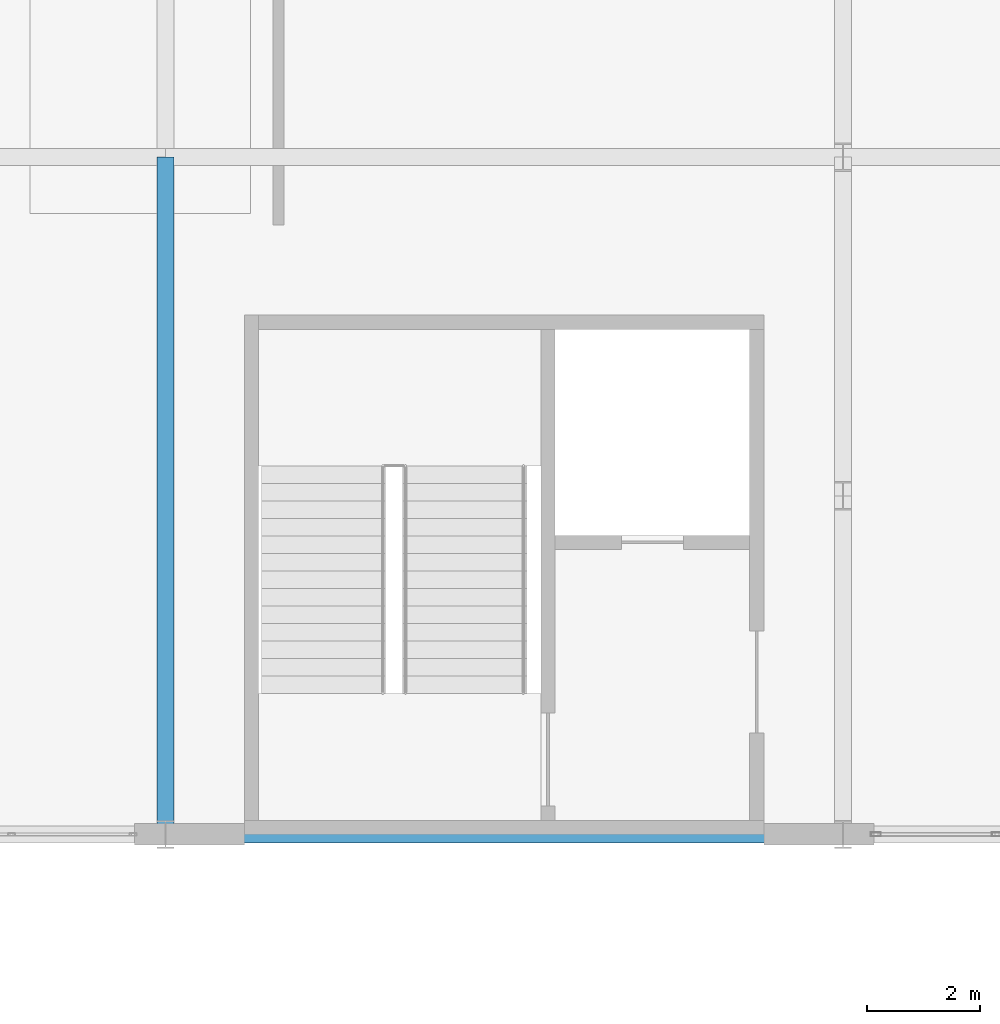
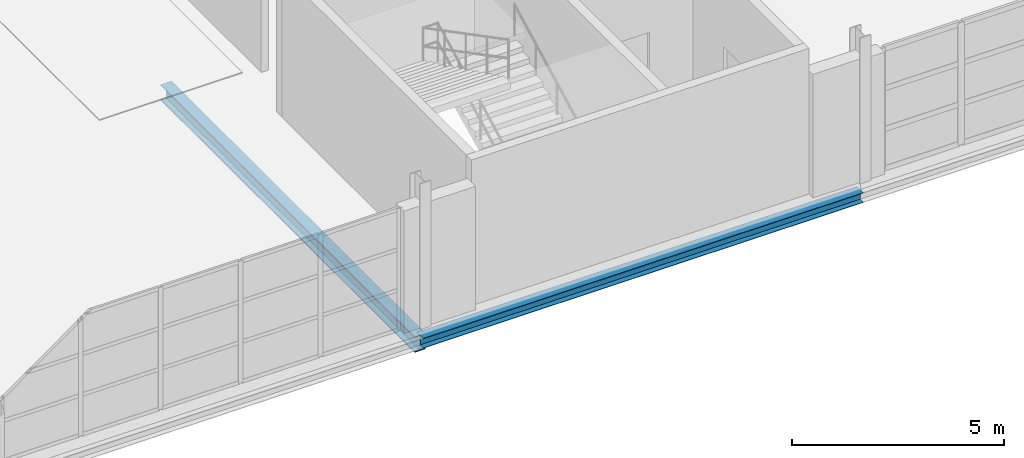
# One storey, part 31 of 158: 2 beams.
"""IFC4 building model written with IfcOpenShell, lengths in metres."""

from ifc_helpers import new_model, si_unit, direction, frame, origin, origin_2d, place, context, subcontext, project, spatial, i_section, extrude, material, material_profile, profile_set, type_object, element, save


model = new_model("IFC4")

# Units and contexts
model_context = context("Model", 3, precision=1e-05, world=origin(), true_north=direction((0.0, 1.0)))
body_context = subcontext(model_context, "Body", "Model", "MODEL_VIEW")
ifc_project = project(units=[si_unit("LENGTHUNIT", "METRE"), si_unit("AREAUNIT", "SQUARE_METRE"), si_unit("VOLUMEUNIT", "CUBIC_METRE"), si_unit("PLANEANGLEUNIT", "RADIAN"), si_unit("MASSUNIT", "GRAM", prefix="KILO")], contexts=[model_context])

# Site, building, storey
site_placement = place(None, origin())
site = spatial("IfcSite", under=ifc_project, at=site_placement, CompositionType="ELEMENT")
building_placement = place(site_placement, origin())
building = spatial("IfcBuilding", under=site, at=building_placement, Name="Zilviju Railside Exhibition Hall", CompositionType="ELEMENT")
storey_placement = place(building_placement, frame((0.0, 0.0, 4.199951171875)))
storey = spatial("IfcBuildingStorey", under=building, at=storey_placement, Name="L02", CompositionType="ELEMENT", Elevation=4.199951171875)

# Beams
ifc_material = material(Name="Steel S355J2", Category="steel")
ifc_material_profile_1 = material_profile(ifc_material, i_section(OverallWidth=0.300048828125, OverallDepth=0.2900390625, WebThickness=0.008544921875, FlangeThickness=0.013916015625, at=origin_2d()), Name="HEA 300")
ifc_profile_set_1 = profile_set([ifc_material_profile_1], Name="Steel S355J2")
beam_type_1 = type_object("IfcBeamType", Name="BM-HEA300", PredefinedType="SPANDREL", material=ifc_profile_set_1)
beam_1_placement = place(storey_placement, frame((12.0, 36.0, -0.5048828125), z_axis=(1.0, 0.0, 0.0), x_axis=(0.0, 1.0, 0.0)))
element("IfcBeam", 1, at=beam_1_placement, inside=storey, type_object=beam_type_1, Name="Primary Girder L02 Y=36.0 (12.0..24.0)", PredefinedType="SPANDREL", context=body_context, shape_type="SweptSolid", body=[
    extrude(i_section(OverallWidth=0.300048828125, OverallDepth=0.2900390625, WebThickness=0.008544921875, FlangeThickness=0.013916015625, at=origin_2d()), origin(), (0.0, 0.0, 1.0), 12.0),
])
ifc_material_profile_2 = material_profile(ifc_material, i_section(OverallWidth=0.300048828125, OverallDepth=0.449951171875, WebThickness=0.013916015625, FlangeThickness=0.02587890625, at=origin_2d()), Name="HEB 450")
ifc_profile_set_2 = profile_set([ifc_material_profile_2], Name="Steel S355J2")
beam_type_2 = type_object("IfcBeamType", Name="BM-HEB450", PredefinedType="BEAM", material=ifc_profile_set_2)
beam_2_placement = place(storey_placement, frame((12.0, 36.0, -0.5849609375), z_axis=(0.0, 1.0, 0.0), x_axis=(-1.0, 0.0, 0.0)))
element("IfcBeam", 2, at=beam_2_placement, inside=storey, type_object=beam_type_2, Name="Transverse Girder L02 X=12.0 (36.0..48.0)", PredefinedType="BEAM", context=body_context, shape_type="SweptSolid", body=[
    extrude(i_section(OverallWidth=0.300048828125, OverallDepth=0.449951171875, WebThickness=0.013916015625, FlangeThickness=0.02587890625, at=origin_2d()), origin(), (0.0, 0.0, 1.0), 12.0),
])

save(model, "model.ifc")
